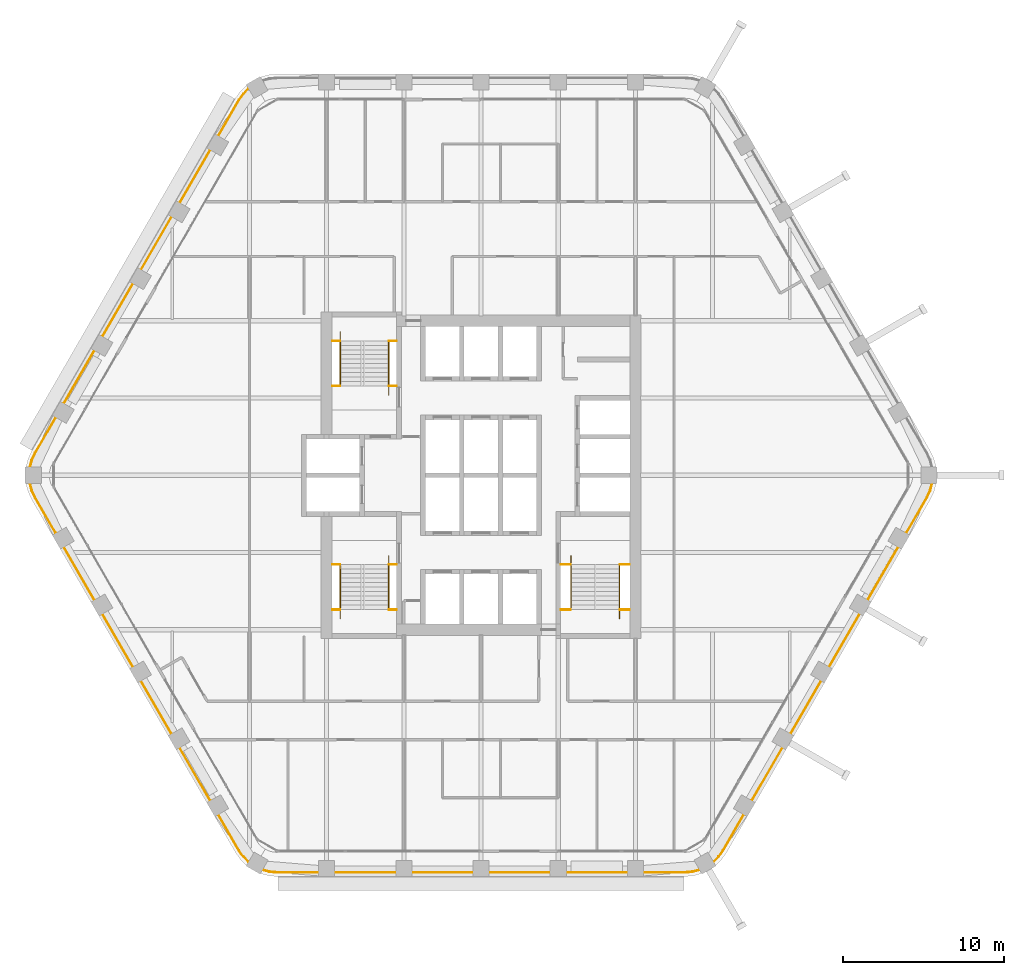
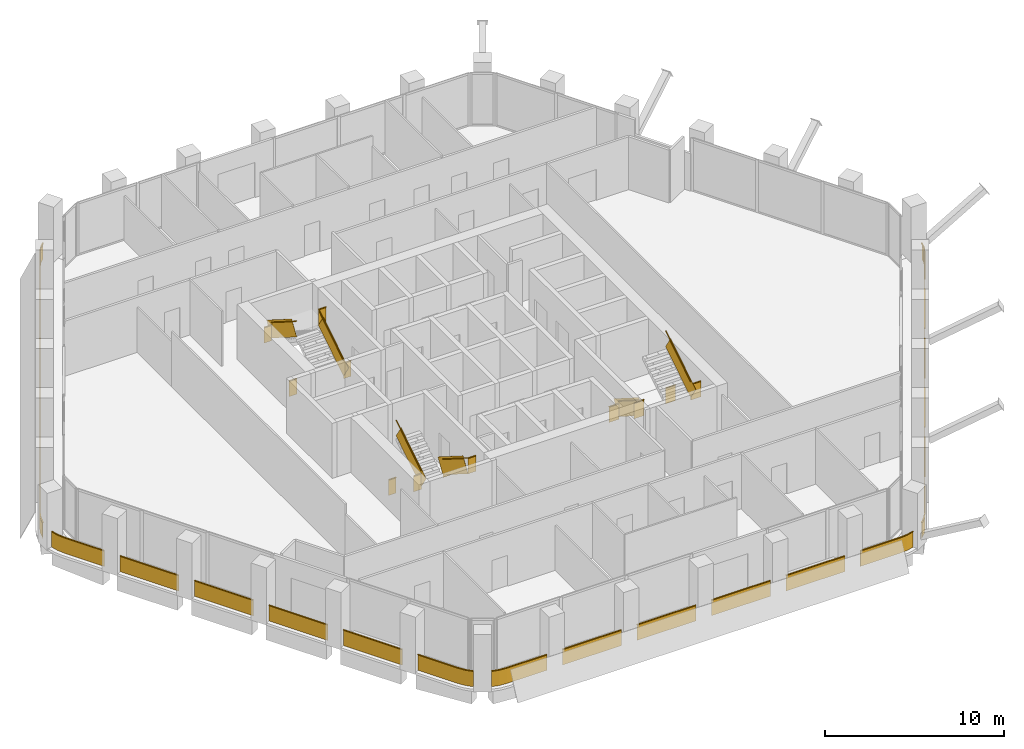
# One storey, part 15 of 16: 10 railings.
"""IFC4 building model written with IfcOpenShell, lengths in metres."""

from ifc_helpers import new_model, si_unit, direction, frame, frame_2d, origin, origin_2d, place, context, subcontext, project, spatial, rectangle, extrude, material, type_object, element, save


model = new_model("IFC4")

# Units and contexts
model_context = context("Model", 3, precision=1e-05, world=origin(), true_north=direction((0.0, 1.0)))
body_context = subcontext(model_context, "Body", "Model", "MODEL_VIEW")
ifc_project = project(units=[si_unit("LENGTHUNIT", "METRE"), si_unit("AREAUNIT", "SQUARE_METRE"), si_unit("VOLUMEUNIT", "CUBIC_METRE"), si_unit("PLANEANGLEUNIT", "RADIAN"), si_unit("MASSUNIT", "GRAM", prefix="KILO")], contexts=[model_context])

# Site, building, storey
site_placement = place(None, origin())
site = spatial("IfcSite", under=ifc_project, at=site_placement, CompositionType="ELEMENT")
building_placement = place(site_placement, origin())
building = spatial("IfcBuilding", under=site, at=building_placement, Name="Kolab Exchange Tower", CompositionType="ELEMENT")
storey_placement = place(building_placement, frame((0.0, 0.0, 177.800048828125)))
storey = spatial("IfcBuildingStorey", under=building, at=storey_placement, Name="L37", CompositionType="ELEMENT", Elevation=177.800048828125)

# Railings
ifc_material_1 = material(Name="Stainless steel 316", Category="steel")
railing_type_1 = type_object("IfcRailingType", Name="GUARD 1100", PredefinedType="GUARDRAIL", material=ifc_material_1)
railing_1_placement = place(storey_placement, frame((-9.25, 5.550048828125, 0.0)))
element("IfcRailing", 1, at=railing_1_placement, inside=storey, type_object=railing_type_1, Name="Guard ST1", PredefinedType="GUARDRAIL", context=body_context, shape_type="SweptSolid", body=[
    extrude(rectangle(XDim=0.05, YDim=0.05, at=origin_2d()), frame((0.0, 0.0, 1.0751953125), z_axis=(1.0, 0.0, 0.0), x_axis=(0.0, 1.0, 0.0)), (0.0, 0.0, 1.0), 0.489990234375),
    extrude(rectangle(XDim=0.012, YDim=1.05009765625, at=frame_2d((0.0, 0.525146484375))), frame((0.0, 0.0, 0.0), z_axis=(1.0, 0.0, 0.0), x_axis=(0.0, 1.0, 0.0)), (0.0, 0.0, 1.0), 0.489990234375),
    extrude(rectangle(XDim=0.05, YDim=0.05, at=origin_2d()), frame((3.510009765625, 0.0, 1.0751953125), z_axis=(1.0, 0.0, 0.0), x_axis=(0.0, 1.0, 0.0)), (0.0, 0.0, 1.0), 0.489990234375),
    extrude(rectangle(XDim=0.012, YDim=1.05009765625, at=frame_2d((0.0, 0.525146484375))), frame((3.510009765625, 0.0, 0.0), z_axis=(1.0, 0.0, 0.0), x_axis=(0.0, 1.0, 0.0)), (0.0, 0.0, 1.0), 0.489990234375),
    extrude(rectangle(XDim=0.05, YDim=0.05, at=origin_2d()), frame((0.0, 2.800048828125, 3.025146484375), z_axis=(1.0, 0.0, 0.0), x_axis=(0.0, 1.0, 0.0)), (0.0, 0.0, 1.0), 0.489990234375),
    extrude(rectangle(XDim=0.012, YDim=1.05009765625, at=frame_2d((0.0, 0.525146484375))), frame((0.0, 2.800048828125, 1.949951171875), z_axis=(1.0, 0.0, 0.0), x_axis=(0.0, 1.0, 0.0)), (0.0, 0.0, 1.0), 0.489990234375),
    extrude(rectangle(XDim=0.05, YDim=0.05, at=origin_2d()), frame((3.510009765625, 2.800048828125, 3.025146484375), z_axis=(1.0, 0.0, 0.0), x_axis=(0.0, 1.0, 0.0)), (0.0, 0.0, 1.0), 0.489990234375),
    extrude(rectangle(XDim=0.012, YDim=1.05009765625, at=frame_2d((0.0, 0.525146484375))), frame((3.510009765625, 2.800048828125, 1.949951171875), z_axis=(1.0, 0.0, 0.0), x_axis=(0.0, 1.0, 0.0)), (0.0, 0.0, 1.0), 0.489990234375),
])
railing_2_placement = place(storey_placement, frame((-5.739990234375, 5.550048828125, 0.17724609375)))
element("IfcRailing", 2, at=railing_2_placement, inside=storey, type_object=railing_type_1, Name="Handrail guard ST1", PredefinedType="GUARDRAIL", context=body_context, shape_type="SweptSolid", body=[
    extrude(rectangle(XDim=0.05, YDim=0.05, at=origin_2d()), frame((0.0, 0.0, 1.0751953125), z_axis=(0.0, 0.844908973607, 0.534910110503), x_axis=(-1.0, 0.0, 0.0)), (0.0, 0.0, 1.0), 3.31396484375),
    extrude(rectangle(XDim=0.012, YDim=1.05009765625, at=frame_2d((0.0, 0.525146484375))), frame((0.0, 0.0, 0.0), z_axis=(0.0, 0.844908973607, 0.534910110503), x_axis=(-1.0, 0.0, 0.0)), (0.0, 0.0, 1.0), 3.31396484375),
    extrude(rectangle(XDim=0.05, YDim=0.05, at=origin_2d()), frame((-3.02001953125, 2.800048828125, 3.025146484375), z_axis=(0.0, -0.844908973607, 0.534910110503), x_axis=(1.0, 0.0, 0.0)), (0.0, 0.0, 1.0), 3.31396484375),
    extrude(rectangle(XDim=0.012, YDim=1.05009765625, at=frame_2d((0.0, 0.525146484375))), frame((-3.02001953125, 2.800048828125, 1.949951171875), z_axis=(0.0, -0.844908973607, 0.534910110503), x_axis=(1.0, 0.0, 0.0)), (0.0, 0.0, 1.0), 3.31396484375),
])
railing_3_placement = place(storey_placement, frame((-9.25, -5.550048828125, 0.0)))
element("IfcRailing", 3, at=railing_3_placement, inside=storey, type_object=railing_type_1, Name="Guard ST3", PredefinedType="GUARDRAIL", context=body_context, shape_type="SweptSolid", body=[
    extrude(rectangle(XDim=0.05, YDim=0.05, at=origin_2d()), frame((0.0, 0.0, 1.0751953125), z_axis=(1.0, 0.0, 0.0), x_axis=(0.0, 1.0, 0.0)), (0.0, 0.0, 1.0), 0.489990234375),
    extrude(rectangle(XDim=0.012, YDim=1.05009765625, at=frame_2d((0.0, 0.525146484375))), frame((0.0, 0.0, 0.0), z_axis=(1.0, 0.0, 0.0), x_axis=(0.0, 1.0, 0.0)), (0.0, 0.0, 1.0), 0.489990234375),
    extrude(rectangle(XDim=0.05, YDim=0.05, at=origin_2d()), frame((3.510009765625, 0.0, 1.0751953125), z_axis=(1.0, 0.0, 0.0), x_axis=(0.0, 1.0, 0.0)), (0.0, 0.0, 1.0), 0.489990234375),
    extrude(rectangle(XDim=0.012, YDim=1.05009765625, at=frame_2d((0.0, 0.525146484375))), frame((3.510009765625, 0.0, 0.0), z_axis=(1.0, 0.0, 0.0), x_axis=(0.0, 1.0, 0.0)), (0.0, 0.0, 1.0), 0.489990234375),
    extrude(rectangle(XDim=0.05, YDim=0.05, at=origin_2d()), frame((0.0, -2.800048828125, 3.025146484375), z_axis=(1.0, 0.0, 0.0), x_axis=(0.0, 1.0, 0.0)), (0.0, 0.0, 1.0), 0.489990234375),
    extrude(rectangle(XDim=0.012, YDim=1.05009765625, at=frame_2d((0.0, 0.525146484375))), frame((0.0, -2.800048828125, 1.949951171875), z_axis=(1.0, 0.0, 0.0), x_axis=(0.0, 1.0, 0.0)), (0.0, 0.0, 1.0), 0.489990234375),
    extrude(rectangle(XDim=0.05, YDim=0.05, at=origin_2d()), frame((3.510009765625, -2.800048828125, 3.025146484375), z_axis=(1.0, 0.0, 0.0), x_axis=(0.0, 1.0, 0.0)), (0.0, 0.0, 1.0), 0.489990234375),
    extrude(rectangle(XDim=0.012, YDim=1.05009765625, at=frame_2d((0.0, 0.525146484375))), frame((3.510009765625, -2.800048828125, 1.949951171875), z_axis=(1.0, 0.0, 0.0), x_axis=(0.0, 1.0, 0.0)), (0.0, 0.0, 1.0), 0.489990234375),
])
railing_4_placement = place(storey_placement, frame((-5.739990234375, -5.550048828125, 0.17724609375)))
element("IfcRailing", 4, at=railing_4_placement, inside=storey, type_object=railing_type_1, Name="Handrail guard ST3", PredefinedType="GUARDRAIL", context=body_context, shape_type="SweptSolid", body=[
    extrude(rectangle(XDim=0.05, YDim=0.05, at=origin_2d()), frame((0.0, 0.0, 1.0751953125), z_axis=(0.0, -0.844908973607, 0.534910110503), x_axis=(1.0, 0.0, 0.0)), (0.0, 0.0, 1.0), 3.31396484375),
    extrude(rectangle(XDim=0.012, YDim=1.05009765625, at=frame_2d((0.0, 0.525146484375))), frame((0.0, 0.0, 0.0), z_axis=(0.0, -0.844908973607, 0.534910110503), x_axis=(1.0, 0.0, 0.0)), (0.0, 0.0, 1.0), 3.31396484375),
    extrude(rectangle(XDim=0.05, YDim=0.05, at=origin_2d()), frame((-3.02001953125, -2.800048828125, 3.025146484375), z_axis=(0.0, 0.844908973607, 0.534910110503), x_axis=(-1.0, 0.0, 0.0)), (0.0, 0.0, 1.0), 3.31396484375),
    extrude(rectangle(XDim=0.012, YDim=1.05009765625, at=frame_2d((0.0, 0.525146484375))), frame((-3.02001953125, -2.800048828125, 1.949951171875), z_axis=(0.0, 0.844908973607, 0.534910110503), x_axis=(-1.0, 0.0, 0.0)), (0.0, 0.0, 1.0), 3.31396484375),
])
railing_5_placement = place(storey_placement, frame((4.949951171875, -5.550048828125, 0.0)))
element("IfcRailing", 5, at=railing_5_placement, inside=storey, type_object=railing_type_1, Name="Guard ST2", PredefinedType="GUARDRAIL", context=body_context, shape_type="SweptSolid", body=[
    extrude(rectangle(XDim=0.05, YDim=0.05, at=origin_2d()), frame((0.0, 0.0, 1.0751953125), z_axis=(1.0, 0.0, 0.0), x_axis=(0.0, 1.0, 0.0)), (0.0, 0.0, 1.0), 0.64013671875),
    extrude(rectangle(XDim=0.012, YDim=1.05009765625, at=frame_2d((0.0, 0.525146484375))), frame((0.0, 0.0, 0.0), z_axis=(1.0, 0.0, 0.0), x_axis=(0.0, 1.0, 0.0)), (0.0, 0.0, 1.0), 0.64013671875),
    extrude(rectangle(XDim=0.05, YDim=0.05, at=origin_2d()), frame((3.66015625, 0.0, 1.0751953125), z_axis=(1.0, 0.0, 0.0), x_axis=(0.0, 1.0, 0.0)), (0.0, 0.0, 1.0), 0.639892578125),
    extrude(rectangle(XDim=0.012, YDim=1.05009765625, at=frame_2d((0.0, 0.525146484375))), frame((3.66015625, 0.0, 0.0), z_axis=(1.0, 0.0, 0.0), x_axis=(0.0, 1.0, 0.0)), (0.0, 0.0, 1.0), 0.639892578125),
    extrude(rectangle(XDim=0.05, YDim=0.05, at=origin_2d()), frame((0.0, -2.800048828125, 3.025146484375), z_axis=(1.0, 0.0, 0.0), x_axis=(0.0, 1.0, 0.0)), (0.0, 0.0, 1.0), 0.64013671875),
    extrude(rectangle(XDim=0.012, YDim=1.05009765625, at=frame_2d((0.0, 0.525146484375))), frame((0.0, -2.800048828125, 1.949951171875), z_axis=(1.0, 0.0, 0.0), x_axis=(0.0, 1.0, 0.0)), (0.0, 0.0, 1.0), 0.64013671875),
    extrude(rectangle(XDim=0.05, YDim=0.05, at=origin_2d()), frame((3.66015625, -2.800048828125, 3.025146484375), z_axis=(1.0, 0.0, 0.0), x_axis=(0.0, 1.0, 0.0)), (0.0, 0.0, 1.0), 0.639892578125),
    extrude(rectangle(XDim=0.012, YDim=1.05009765625, at=frame_2d((0.0, 0.525146484375))), frame((3.66015625, -2.800048828125, 1.949951171875), z_axis=(1.0, 0.0, 0.0), x_axis=(0.0, 1.0, 0.0)), (0.0, 0.0, 1.0), 0.639892578125),
])
railing_6_placement = place(storey_placement, frame((5.590087890625, -5.550048828125, 0.17724609375)))
element("IfcRailing", 6, at=railing_6_placement, inside=storey, type_object=railing_type_1, Name="Handrail guard ST2", PredefinedType="GUARDRAIL", context=body_context, shape_type="SweptSolid", body=[
    extrude(rectangle(XDim=0.05, YDim=0.05, at=origin_2d()), frame((0.0, 0.0, 1.0751953125), z_axis=(0.0, -0.844908973607, 0.534910110503), x_axis=(1.0, 0.0, 0.0)), (0.0, 0.0, 1.0), 3.31396484375),
    extrude(rectangle(XDim=0.012, YDim=1.05009765625, at=frame_2d((0.0, 0.525146484375))), frame((0.0, 0.0, 0.0), z_axis=(0.0, -0.844908973607, 0.534910110503), x_axis=(1.0, 0.0, 0.0)), (0.0, 0.0, 1.0), 3.31396484375),
    extrude(rectangle(XDim=0.05, YDim=0.05, at=origin_2d()), frame((3.02001953125, -2.800048828125, 3.025146484375), z_axis=(0.0, 0.844908973607, 0.534910110503), x_axis=(-1.0, 0.0, 0.0)), (0.0, 0.0, 1.0), 3.31396484375),
    extrude(rectangle(XDim=0.012, YDim=1.05009765625, at=frame_2d((0.0, 0.525146484375))), frame((3.02001953125, -2.800048828125, 1.949951171875), z_axis=(0.0, 0.844908973607, 0.534910110503), x_axis=(-1.0, 0.0, 0.0)), (0.0, 0.0, 1.0), 3.31396484375),
])
ifc_material_2 = material(Name="Steel S235", Category="steel")
railing_type_2 = type_object("IfcRailingType", Name="GUARD 1100 GLASS BALUSTRADE AND STEEL TOP RAIL", PredefinedType="GUARDRAIL", material=ifc_material_2)
railing_7_placement = place(storey_placement, frame((14.4501953125, -24.033447265625, 0.0)))
element("IfcRailing", 7, at=railing_7_placement, inside=storey, type_object=railing_type_2, Name="Guard", PredefinedType="GUARDRAIL", context=body_context, shape_type="SweptSolid", body=[
    extrude(rectangle(XDim=0.05, YDim=0.05, at=origin_2d()), frame((0.0, 0.0, 1.0751953125), z_axis=(0.70737286085, 0.706840601361, 0.0), x_axis=(-0.706840601361, 0.70737286085, 0.0)), (0.0, 0.0, 1.0), 0.458740234375),
    extrude(rectangle(XDim=0.012, YDim=1.05009765625, at=frame_2d((0.0, 0.525146484375))), frame((0.0, 0.0, 0.0), z_axis=(0.70737286085, 0.706840601361, 0.0), x_axis=(-0.706840601361, 0.70737286085, 0.0)), (0.0, 0.0, 1.0), 0.458740234375),
    extrude(rectangle(XDim=0.05, YDim=0.05, at=origin_2d()), frame((0.324462890625, 0.32421875, 1.0751953125), z_axis=(0.573599091554, 0.819136180478, 0.0), x_axis=(-0.819136180478, 0.573599091554, 0.0)), (0.0, 0.0, 1.0), 0.479248046875),
    extrude(rectangle(XDim=0.012, YDim=1.05009765625, at=frame_2d((0.0, 0.525146484375))), frame((0.324462890625, 0.32421875, 0.0), z_axis=(0.573599091554, 0.819136180478, 0.0), x_axis=(-0.819136180478, 0.573599091554, 0.0)), (0.0, 0.0, 1.0), 0.479248046875),
    extrude(rectangle(XDim=0.05, YDim=0.05, at=origin_2d()), frame((0.599365234375, 0.716796875, 1.0751953125), z_axis=(0.499952873616, 0.866052610505, 0.0), x_axis=(-0.866052610505, 0.499952873616, 0.0)), (0.0, 0.0, 1.0), 2.568115234375),
    extrude(rectangle(XDim=0.012, YDim=1.05009765625, at=frame_2d((0.0, 0.525146484375))), frame((0.599365234375, 0.716796875, 0.0), z_axis=(0.499952873616, 0.866052610505, 0.0), x_axis=(-0.866052610505, 0.499952873616, 0.0)), (0.0, 0.0, 1.0), 2.568115234375),
    extrude(rectangle(XDim=0.05, YDim=0.05, at=origin_2d()), frame((2.38330078125, 3.806884765625, 1.0751953125), z_axis=(0.499994975061, 0.866028304915, 0.0), x_axis=(-0.866028304915, 0.499994975061, 0.0)), (0.0, 0.0, 1.0), 3.7998046875),
    extrude(rectangle(XDim=0.012, YDim=1.05009765625, at=frame_2d((0.0, 0.525146484375))), frame((2.38330078125, 3.806884765625, 0.0), z_axis=(0.499994975061, 0.866028304915, 0.0), x_axis=(-0.866028304915, 0.499994975061, 0.0)), (0.0, 0.0, 1.0), 3.7998046875),
    extrude(rectangle(XDim=0.05, YDim=0.05, at=origin_2d()), frame((4.783203125, 7.9638671875, 1.0751953125), z_axis=(0.500043160704, 0.866000483506, 0.0), x_axis=(-0.866000483506, 0.500043160704, 0.0)), (0.0, 0.0, 1.0), 3.800048828125),
    extrude(rectangle(XDim=0.012, YDim=1.05009765625, at=frame_2d((0.0, 0.525146484375))), frame((4.783203125, 7.9638671875, 0.0), z_axis=(0.500043160704, 0.866000483506, 0.0), x_axis=(-0.866000483506, 0.500043160704, 0.0)), (0.0, 0.0, 1.0), 3.800048828125),
    extrude(rectangle(XDim=0.05, YDim=0.05, at=origin_2d()), frame((7.183349609375, 12.12060546875, 1.0751953125), z_axis=(0.499967155389, 0.866044365799, 0.0), x_axis=(-0.866044365799, 0.499967155389, 0.0)), (0.0, 0.0, 1.0), 3.800048828125),
    extrude(rectangle(XDim=0.012, YDim=1.05009765625, at=frame_2d((0.0, 0.525146484375))), frame((7.183349609375, 12.12060546875, 0.0), z_axis=(0.499967155389, 0.866044365799, 0.0), x_axis=(-0.866044365799, 0.499967155389, 0.0)), (0.0, 0.0, 1.0), 3.800048828125),
    extrude(rectangle(XDim=0.05, YDim=0.05, at=origin_2d()), frame((9.583251953125, 16.277587890625, 1.0751953125), z_axis=(0.500015340139, 0.86601654697, 0.0), x_axis=(-0.86601654697, 0.500015340139, 0.0)), (0.0, 0.0, 1.0), 3.80029296875),
    extrude(rectangle(XDim=0.012, YDim=1.05009765625, at=frame_2d((0.0, 0.525146484375))), frame((9.583251953125, 16.277587890625, 0.0), z_axis=(0.500015340139, 0.86601654697, 0.0), x_axis=(-0.86601654697, 0.500015340139, 0.0)), (0.0, 0.0, 1.0), 3.80029296875),
    extrude(rectangle(XDim=0.05, YDim=0.05, at=origin_2d()), frame((11.9833984375, 20.4345703125, 1.0751953125), z_axis=(0.499994038704, 0.866028845513, 0.0), x_axis=(-0.866028845513, 0.499994038704, 0.0)), (0.0, 0.0, 1.0), 2.56787109375),
    extrude(rectangle(XDim=0.012, YDim=1.05009765625, at=frame_2d((0.0, 0.525146484375))), frame((11.9833984375, 20.4345703125, 0.0), z_axis=(0.499994038704, 0.866028845513, 0.0), x_axis=(-0.866028845513, 0.499994038704, 0.0)), (0.0, 0.0, 1.0), 2.56787109375),
    extrude(rectangle(XDim=0.05, YDim=0.05, at=origin_2d()), frame((13.267333984375, 22.658447265625, 1.0751953125), z_axis=(0.422801802984, 0.906222177721, 0.0), x_axis=(-0.906222177721, 0.422801802984, 0.0)), (0.0, 0.0, 1.0), 0.479248046875),
    extrude(rectangle(XDim=0.012, YDim=1.05009765625, at=frame_2d((0.0, 0.525146484375))), frame((13.267333984375, 22.658447265625, 0.0), z_axis=(0.422801802984, 0.906222177721, 0.0), x_axis=(-0.906222177721, 0.422801802984, 0.0)), (0.0, 0.0, 1.0), 0.479248046875),
    extrude(rectangle(XDim=0.05, YDim=0.05, at=origin_2d()), frame((13.469970703125, 23.0927734375, 1.0751953125), z_axis=(0.25865627591, 0.965969425465, 0.0), x_axis=(-0.965969425465, 0.25865627591, 0.0)), (0.0, 0.0, 1.0), 0.458740234375),
    extrude(rectangle(XDim=0.012, YDim=1.05009765625, at=frame_2d((0.0, 0.525146484375))), frame((13.469970703125, 23.0927734375, 0.0), z_axis=(0.25865627591, 0.965969425465, 0.0), x_axis=(-0.965969425465, 0.25865627591, 0.0)), (0.0, 0.0, 1.0), 0.458740234375),
])
railing_8_placement = place(storey_placement, frame((-13.588623046875, -24.531005859375, 0.0)))
element("IfcRailing", 8, at=railing_8_placement, inside=storey, type_object=railing_type_2, Name="Guard", PredefinedType="GUARDRAIL", context=body_context, shape_type="SweptSolid", body=[
    extrude(rectangle(XDim=0.05, YDim=0.05, at=origin_2d()), frame((0.0, 0.0, 1.0751953125), z_axis=(0.965969425465, -0.25865627591, 0.0), x_axis=(0.25865627591, 0.965969425465, 0.0)), (0.0, 0.0, 1.0), 0.458740234375),
    extrude(rectangle(XDim=0.012, YDim=1.05009765625, at=frame_2d((0.0, 0.525146484375))), frame((0.0, 0.0, 0.0), z_axis=(0.965969425465, -0.25865627591, 0.0), x_axis=(0.25865627591, 0.965969425465, 0.0)), (0.0, 0.0, 1.0), 0.458740234375),
    extrude(rectangle(XDim=0.05, YDim=0.05, at=origin_2d()), frame((0.443115234375, -0.11865234375, 1.0751953125), z_axis=(0.996156034798, -0.087596542937, 0.0), x_axis=(0.087596542937, 0.996156034798, 0.0)), (0.0, 0.0, 1.0), 0.4794921875),
    extrude(rectangle(XDim=0.012, YDim=1.05009765625, at=frame_2d((0.0, 0.525146484375))), frame((0.443115234375, -0.11865234375, 0.0), z_axis=(0.996156034798, -0.087596542937, 0.0), x_axis=(0.087596542937, 0.996156034798, 0.0)), (0.0, 0.0, 1.0), 0.4794921875),
    extrude(rectangle(XDim=0.05, YDim=0.05, at=origin_2d()), frame((0.920654296875, -0.16064453125, 1.0751953125), z_axis=(1.0, 0.0, 0.0), x_axis=(0.0, 1.0, 0.0)), (0.0, 0.0, 1.0), 2.56787109375),
    extrude(rectangle(XDim=0.012, YDim=1.05009765625, at=frame_2d((0.0, 0.525146484375))), frame((0.920654296875, -0.16064453125, 0.0), z_axis=(1.0, 0.0, 0.0), x_axis=(0.0, 1.0, 0.0)), (0.0, 0.0, 1.0), 2.56787109375),
    extrude(rectangle(XDim=0.05, YDim=0.05, at=origin_2d()), frame((4.488525390625, -0.16064453125, 1.0751953125), z_axis=(1.0, 0.0, 0.0), x_axis=(0.0, 1.0, 0.0)), (0.0, 0.0, 1.0), 3.800048828125),
    extrude(rectangle(XDim=0.012, YDim=1.05009765625, at=frame_2d((0.0, 0.525146484375))), frame((4.488525390625, -0.16064453125, 0.0), z_axis=(1.0, 0.0, 0.0), x_axis=(0.0, 1.0, 0.0)), (0.0, 0.0, 1.0), 3.800048828125),
    extrude(rectangle(XDim=0.05, YDim=0.05, at=origin_2d()), frame((9.28857421875, -0.16064453125, 1.0751953125), z_axis=(1.0, 0.0, 0.0), x_axis=(0.0, 1.0, 0.0)), (0.0, 0.0, 1.0), 3.800048828125),
    extrude(rectangle(XDim=0.012, YDim=1.05009765625, at=frame_2d((0.0, 0.525146484375))), frame((9.28857421875, -0.16064453125, 0.0), z_axis=(1.0, 0.0, 0.0), x_axis=(0.0, 1.0, 0.0)), (0.0, 0.0, 1.0), 3.800048828125),
    extrude(rectangle(XDim=0.05, YDim=0.05, at=origin_2d()), frame((14.088623046875, -0.16064453125, 1.0751953125), z_axis=(1.0, 0.0, 0.0), x_axis=(0.0, 1.0, 0.0)), (0.0, 0.0, 1.0), 3.800048828125),
    extrude(rectangle(XDim=0.012, YDim=1.05009765625, at=frame_2d((0.0, 0.525146484375))), frame((14.088623046875, -0.16064453125, 0.0), z_axis=(1.0, 0.0, 0.0), x_axis=(0.0, 1.0, 0.0)), (0.0, 0.0, 1.0), 3.800048828125),
    extrude(rectangle(XDim=0.05, YDim=0.05, at=origin_2d()), frame((18.888671875, -0.16064453125, 1.0751953125), z_axis=(1.0, 0.0, 0.0), x_axis=(0.0, 1.0, 0.0)), (0.0, 0.0, 1.0), 3.800048828125),
    extrude(rectangle(XDim=0.012, YDim=1.05009765625, at=frame_2d((0.0, 0.525146484375))), frame((18.888671875, -0.16064453125, 0.0), z_axis=(1.0, 0.0, 0.0), x_axis=(0.0, 1.0, 0.0)), (0.0, 0.0, 1.0), 3.800048828125),
    extrude(rectangle(XDim=0.05, YDim=0.05, at=origin_2d()), frame((23.688720703125, -0.16064453125, 1.0751953125), z_axis=(1.0, 0.0, 0.0), x_axis=(0.0, 1.0, 0.0)), (0.0, 0.0, 1.0), 2.56787109375),
    extrude(rectangle(XDim=0.012, YDim=1.05009765625, at=frame_2d((0.0, 0.525146484375))), frame((23.688720703125, -0.16064453125, 0.0), z_axis=(1.0, 0.0, 0.0), x_axis=(0.0, 1.0, 0.0)), (0.0, 0.0, 1.0), 2.56787109375),
    extrude(rectangle(XDim=0.05, YDim=0.05, at=origin_2d()), frame((26.256591796875, -0.16064453125, 1.0751953125), z_axis=(0.996156034798, 0.087596542937, 0.0), x_axis=(-0.087596542937, 0.996156034798, 0.0)), (0.0, 0.0, 1.0), 0.4794921875),
    extrude(rectangle(XDim=0.012, YDim=1.05009765625, at=frame_2d((0.0, 0.525146484375))), frame((26.256591796875, -0.16064453125, 0.0), z_axis=(0.996156034798, 0.087596542937, 0.0), x_axis=(-0.087596542937, 0.996156034798, 0.0)), (0.0, 0.0, 1.0), 0.4794921875),
    extrude(rectangle(XDim=0.05, YDim=0.05, at=origin_2d()), frame((26.734130859375, -0.11865234375, 1.0751953125), z_axis=(0.965969425465, 0.25865627591, 0.0), x_axis=(-0.25865627591, 0.965969425465, 0.0)), (0.0, 0.0, 1.0), 0.458740234375),
    extrude(rectangle(XDim=0.012, YDim=1.05009765625, at=frame_2d((0.0, 0.525146484375))), frame((26.734130859375, -0.11865234375, 0.0), z_axis=(0.965969425465, 0.25865627591, 0.0), x_axis=(-0.25865627591, 0.965969425465, 0.0)), (0.0, 0.0, 1.0), 0.458740234375),
])
railing_9_placement = place(storey_placement, frame((-28.038818359375, -0.49755859375, 0.0)))
element("IfcRailing", 9, at=railing_9_placement, inside=storey, type_object=railing_type_2, Name="Guard", PredefinedType="GUARDRAIL", context=body_context, shape_type="SweptSolid", body=[
    extrude(rectangle(XDim=0.05, YDim=0.05, at=origin_2d()), frame((0.0, 0.0, 1.0751953125), z_axis=(0.25865627591, -0.965969425465, 0.0), x_axis=(0.965969425465, 0.25865627591, 0.0)), (0.0, 0.0, 1.0), 0.458740234375),
    extrude(rectangle(XDim=0.012, YDim=1.05009765625, at=frame_2d((0.0, 0.525146484375))), frame((0.0, 0.0, 0.0), z_axis=(0.25865627591, -0.965969425465, 0.0), x_axis=(0.965969425465, 0.25865627591, 0.0)), (0.0, 0.0, 1.0), 0.458740234375),
    extrude(rectangle(XDim=0.05, YDim=0.05, at=origin_2d()), frame((0.11865234375, -0.443115234375, 1.0751953125), z_axis=(0.422801802984, -0.906222177721, 0.0), x_axis=(0.906222177721, 0.422801802984, 0.0)), (0.0, 0.0, 1.0), 0.479248046875),
    extrude(rectangle(XDim=0.012, YDim=1.05009765625, at=frame_2d((0.0, 0.525146484375))), frame((0.11865234375, -0.443115234375, 0.0), z_axis=(0.422801802984, -0.906222177721, 0.0), x_axis=(0.906222177721, 0.422801802984, 0.0)), (0.0, 0.0, 1.0), 0.479248046875),
    extrude(rectangle(XDim=0.05, YDim=0.05, at=origin_2d()), frame((0.3212890625, -0.87744140625, 1.0751953125), z_axis=(0.499994038704, -0.866028845513, 0.0), x_axis=(0.866028845513, 0.499994038704, 0.0)), (0.0, 0.0, 1.0), 2.56787109375),
    extrude(rectangle(XDim=0.012, YDim=1.05009765625, at=frame_2d((0.0, 0.525146484375))), frame((0.3212890625, -0.87744140625, 0.0), z_axis=(0.499994038704, -0.866028845513, 0.0), x_axis=(0.866028845513, 0.499994038704, 0.0)), (0.0, 0.0, 1.0), 2.56787109375),
    extrude(rectangle(XDim=0.05, YDim=0.05, at=origin_2d()), frame((2.105224609375, -3.96728515625, 1.0751953125), z_axis=(0.500015340139, -0.86601654697, 0.0), x_axis=(0.86601654697, 0.500015340139, 0.0)), (0.0, 0.0, 1.0), 3.80029296875),
    extrude(rectangle(XDim=0.012, YDim=1.05009765625, at=frame_2d((0.0, 0.525146484375))), frame((2.105224609375, -3.96728515625, 0.0), z_axis=(0.500015340139, -0.86601654697, 0.0), x_axis=(0.86601654697, 0.500015340139, 0.0)), (0.0, 0.0, 1.0), 3.80029296875),
    extrude(rectangle(XDim=0.05, YDim=0.05, at=origin_2d()), frame((4.50537109375, -8.124267578125, 1.0751953125), z_axis=(0.499967155389, -0.866044365799, 0.0), x_axis=(0.866044365799, 0.499967155389, 0.0)), (0.0, 0.0, 1.0), 3.800048828125),
    extrude(rectangle(XDim=0.012, YDim=1.05009765625, at=frame_2d((0.0, 0.525146484375))), frame((4.50537109375, -8.124267578125, 0.0), z_axis=(0.499967155389, -0.866044365799, 0.0), x_axis=(0.866044365799, 0.499967155389, 0.0)), (0.0, 0.0, 1.0), 3.800048828125),
    extrude(rectangle(XDim=0.05, YDim=0.05, at=origin_2d()), frame((6.9052734375, -12.28125, 1.0751953125), z_axis=(0.500043160704, -0.866000483506, 0.0), x_axis=(0.866000483506, 0.500043160704, 0.0)), (0.0, 0.0, 1.0), 3.800048828125),
    extrude(rectangle(XDim=0.012, YDim=1.05009765625, at=frame_2d((0.0, 0.525146484375))), frame((6.9052734375, -12.28125, 0.0), z_axis=(0.500043160704, -0.866000483506, 0.0), x_axis=(0.866000483506, 0.500043160704, 0.0)), (0.0, 0.0, 1.0), 3.800048828125),
    extrude(rectangle(XDim=0.05, YDim=0.05, at=origin_2d()), frame((9.305419921875, -16.438232421875, 1.0751953125), z_axis=(0.499994975061, -0.866028304915, 0.0), x_axis=(0.866028304915, 0.499994975061, 0.0)), (0.0, 0.0, 1.0), 3.7998046875),
    extrude(rectangle(XDim=0.012, YDim=1.05009765625, at=frame_2d((0.0, 0.525146484375))), frame((9.305419921875, -16.438232421875, 0.0), z_axis=(0.499994975061, -0.866028304915, 0.0), x_axis=(0.866028304915, 0.499994975061, 0.0)), (0.0, 0.0, 1.0), 3.7998046875),
    extrude(rectangle(XDim=0.05, YDim=0.05, at=origin_2d()), frame((11.705322265625, -20.594970703125, 1.0751953125), z_axis=(0.499952873616, -0.866052610505, 0.0), x_axis=(0.866052610505, 0.499952873616, 0.0)), (0.0, 0.0, 1.0), 2.568115234375),
    extrude(rectangle(XDim=0.012, YDim=1.05009765625, at=frame_2d((0.0, 0.525146484375))), frame((11.705322265625, -20.594970703125, 0.0), z_axis=(0.499952873616, -0.866052610505, 0.0), x_axis=(0.866052610505, 0.499952873616, 0.0)), (0.0, 0.0, 1.0), 2.568115234375),
    extrude(rectangle(XDim=0.05, YDim=0.05, at=origin_2d()), frame((12.9892578125, -22.819091796875, 1.0751953125), z_axis=(0.573599091554, -0.819136180478, 0.0), x_axis=(0.819136180478, 0.573599091554, 0.0)), (0.0, 0.0, 1.0), 0.479248046875),
    extrude(rectangle(XDim=0.012, YDim=1.05009765625, at=frame_2d((0.0, 0.525146484375))), frame((12.9892578125, -22.819091796875, 0.0), z_axis=(0.573599091554, -0.819136180478, 0.0), x_axis=(0.819136180478, 0.573599091554, 0.0)), (0.0, 0.0, 1.0), 0.479248046875),
    extrude(rectangle(XDim=0.05, YDim=0.05, at=origin_2d()), frame((13.26416015625, -23.211669921875, 1.0751953125), z_axis=(0.70737286085, -0.706840601361, 0.0), x_axis=(0.706840601361, 0.70737286085, 0.0)), (0.0, 0.0, 1.0), 0.458740234375),
    extrude(rectangle(XDim=0.012, YDim=1.05009765625, at=frame_2d((0.0, 0.525146484375))), frame((13.26416015625, -23.211669921875, 0.0), z_axis=(0.70737286085, -0.706840601361, 0.0), x_axis=(0.706840601361, 0.70737286085, 0.0)), (0.0, 0.0, 1.0), 0.458740234375),
])
railing_10_placement = place(storey_placement, frame((-14.4501953125, 24.033447265625, 0.0)))
element("IfcRailing", 10, at=railing_10_placement, inside=storey, type_object=railing_type_2, Name="Guard", PredefinedType="GUARDRAIL", context=body_context, shape_type="SweptSolid", body=[
    extrude(rectangle(XDim=0.05, YDim=0.05, at=origin_2d()), frame((0.0, 0.0, 1.0751953125), z_axis=(-0.70737286085, -0.706840601361, 0.0), x_axis=(0.706840601361, -0.70737286085, 0.0)), (0.0, 0.0, 1.0), 0.458740234375),
    extrude(rectangle(XDim=0.012, YDim=1.05009765625, at=frame_2d((0.0, 0.525146484375))), frame((0.0, 0.0, 0.0), z_axis=(-0.70737286085, -0.706840601361, 0.0), x_axis=(0.706840601361, -0.70737286085, 0.0)), (0.0, 0.0, 1.0), 0.458740234375),
    extrude(rectangle(XDim=0.05, YDim=0.05, at=origin_2d()), frame((-0.324462890625, -0.32421875, 1.0751953125), z_axis=(-0.573599091554, -0.819136180478, 0.0), x_axis=(0.819136180478, -0.573599091554, 0.0)), (0.0, 0.0, 1.0), 0.479248046875),
    extrude(rectangle(XDim=0.012, YDim=1.05009765625, at=frame_2d((0.0, 0.525146484375))), frame((-0.324462890625, -0.32421875, 0.0), z_axis=(-0.573599091554, -0.819136180478, 0.0), x_axis=(0.819136180478, -0.573599091554, 0.0)), (0.0, 0.0, 1.0), 0.479248046875),
    extrude(rectangle(XDim=0.05, YDim=0.05, at=origin_2d()), frame((-0.599365234375, -0.716796875, 1.0751953125), z_axis=(-0.499952873616, -0.866052610505, 0.0), x_axis=(0.866052610505, -0.499952873616, 0.0)), (0.0, 0.0, 1.0), 2.568115234375),
    extrude(rectangle(XDim=0.012, YDim=1.05009765625, at=frame_2d((0.0, 0.525146484375))), frame((-0.599365234375, -0.716796875, 0.0), z_axis=(-0.499952873616, -0.866052610505, 0.0), x_axis=(0.866052610505, -0.499952873616, 0.0)), (0.0, 0.0, 1.0), 2.568115234375),
    extrude(rectangle(XDim=0.05, YDim=0.05, at=origin_2d()), frame((-2.38330078125, -3.806884765625, 1.0751953125), z_axis=(-0.499994975061, -0.866028304915, 0.0), x_axis=(0.866028304915, -0.499994975061, 0.0)), (0.0, 0.0, 1.0), 3.7998046875),
    extrude(rectangle(XDim=0.012, YDim=1.05009765625, at=frame_2d((0.0, 0.525146484375))), frame((-2.38330078125, -3.806884765625, 0.0), z_axis=(-0.499994975061, -0.866028304915, 0.0), x_axis=(0.866028304915, -0.499994975061, 0.0)), (0.0, 0.0, 1.0), 3.7998046875),
    extrude(rectangle(XDim=0.05, YDim=0.05, at=origin_2d()), frame((-4.783203125, -7.9638671875, 1.0751953125), z_axis=(-0.500043160704, -0.866000483506, 0.0), x_axis=(0.866000483506, -0.500043160704, 0.0)), (0.0, 0.0, 1.0), 3.800048828125),
    extrude(rectangle(XDim=0.012, YDim=1.05009765625, at=frame_2d((0.0, 0.525146484375))), frame((-4.783203125, -7.9638671875, 0.0), z_axis=(-0.500043160704, -0.866000483506, 0.0), x_axis=(0.866000483506, -0.500043160704, 0.0)), (0.0, 0.0, 1.0), 3.800048828125),
    extrude(rectangle(XDim=0.05, YDim=0.05, at=origin_2d()), frame((-7.183349609375, -12.12060546875, 1.0751953125), z_axis=(-0.499967155389, -0.866044365799, 0.0), x_axis=(0.866044365799, -0.499967155389, 0.0)), (0.0, 0.0, 1.0), 3.800048828125),
    extrude(rectangle(XDim=0.012, YDim=1.05009765625, at=frame_2d((0.0, 0.525146484375))), frame((-7.183349609375, -12.12060546875, 0.0), z_axis=(-0.499967155389, -0.866044365799, 0.0), x_axis=(0.866044365799, -0.499967155389, 0.0)), (0.0, 0.0, 1.0), 3.800048828125),
    extrude(rectangle(XDim=0.05, YDim=0.05, at=origin_2d()), frame((-9.583251953125, -16.277587890625, 1.0751953125), z_axis=(-0.500015340139, -0.86601654697, 0.0), x_axis=(0.86601654697, -0.500015340139, 0.0)), (0.0, 0.0, 1.0), 3.80029296875),
    extrude(rectangle(XDim=0.012, YDim=1.05009765625, at=frame_2d((0.0, 0.525146484375))), frame((-9.583251953125, -16.277587890625, 0.0), z_axis=(-0.500015340139, -0.86601654697, 0.0), x_axis=(0.86601654697, -0.500015340139, 0.0)), (0.0, 0.0, 1.0), 3.80029296875),
    extrude(rectangle(XDim=0.05, YDim=0.05, at=origin_2d()), frame((-11.9833984375, -20.4345703125, 1.0751953125), z_axis=(-0.499994038704, -0.866028845513, 0.0), x_axis=(0.866028845513, -0.499994038704, 0.0)), (0.0, 0.0, 1.0), 2.56787109375),
    extrude(rectangle(XDim=0.012, YDim=1.05009765625, at=frame_2d((0.0, 0.525146484375))), frame((-11.9833984375, -20.4345703125, 0.0), z_axis=(-0.499994038704, -0.866028845513, 0.0), x_axis=(0.866028845513, -0.499994038704, 0.0)), (0.0, 0.0, 1.0), 2.56787109375),
    extrude(rectangle(XDim=0.05, YDim=0.05, at=origin_2d()), frame((-13.267333984375, -22.658447265625, 1.0751953125), z_axis=(-0.422801802984, -0.906222177721, 0.0), x_axis=(0.906222177721, -0.422801802984, 0.0)), (0.0, 0.0, 1.0), 0.479248046875),
    extrude(rectangle(XDim=0.012, YDim=1.05009765625, at=frame_2d((0.0, 0.525146484375))), frame((-13.267333984375, -22.658447265625, 0.0), z_axis=(-0.422801802984, -0.906222177721, 0.0), x_axis=(0.906222177721, -0.422801802984, 0.0)), (0.0, 0.0, 1.0), 0.479248046875),
    extrude(rectangle(XDim=0.05, YDim=0.05, at=origin_2d()), frame((-13.469970703125, -23.0927734375, 1.0751953125), z_axis=(-0.25865627591, -0.965969425465, 0.0), x_axis=(0.965969425465, -0.25865627591, 0.0)), (0.0, 0.0, 1.0), 0.458740234375),
    extrude(rectangle(XDim=0.012, YDim=1.05009765625, at=frame_2d((0.0, 0.525146484375))), frame((-13.469970703125, -23.0927734375, 0.0), z_axis=(-0.25865627591, -0.965969425465, 0.0), x_axis=(0.965969425465, -0.25865627591, 0.0)), (0.0, 0.0, 1.0), 0.458740234375),
])

save(model, "model.ifc")
